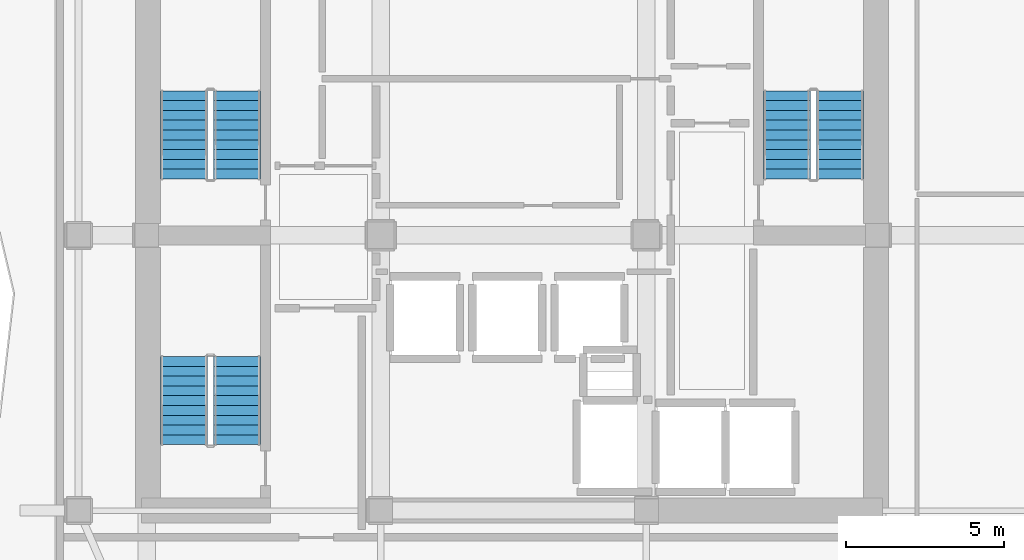
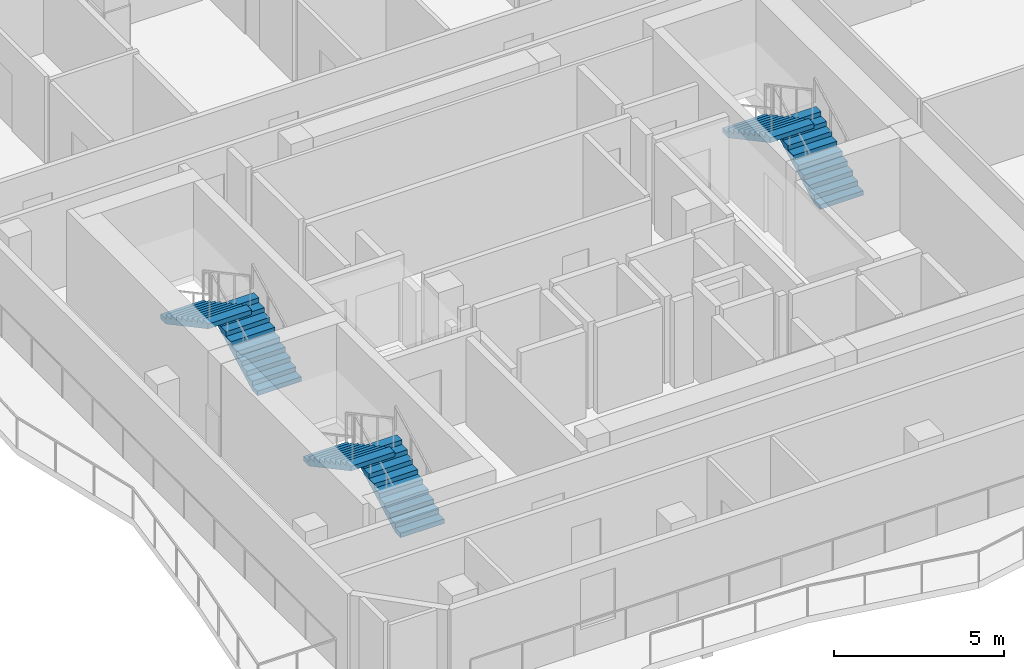
# One storey, part 6 of 9: 6 stair flights, 3 elements without a shape of their own.
"""IFC4 building model written with IfcOpenShell, lengths in metres."""

import ifcopenshell
import ifcopenshell.guid

model = None  # the IFC model being written
_history = None  # IfcOwnerHistory: only IFC2X3 demands one
_inside = {}  # id of a spatial element -> (the spatial element, [elements in it])
_under = {}  # id of a project, library or spatial element -> (it, [spatial elements below it])
_declared = {}  # id of a project -> (the project, [libraries it declares])
_typed = {}  # id of a type object -> (the type object, [elements of that type])
_made_of = {}  # id of a material, layer set ... -> (it, [elements and type objects made of it])


def new_model(schema):
    """Start an empty IFC model of exactly this schema.

    Asked for "IFC4X3", IfcOpenShell would pick the latest addendum, in which some entities
    have other attributes; the version numbers below select the first issue.
    IFC2X3 requires an IfcOwnerHistory on every rooted entity: one is made here for all.
    """
    global model, _history
    if schema == "IFC4X3":
        model = ifcopenshell.file(schema_version=(4, 3, 0, 0))
    else:
        model = ifcopenshell.file(schema=schema)
    _inside.clear()
    _under.clear()
    _declared.clear()
    _typed.clear()
    _made_of.clear()
    _history = None
    if model.schema == "IFC2X3":
        org = make("IfcOrganization", Name="unknown")
        user = make(
            "IfcPersonAndOrganization",
            ThePerson=make("IfcPerson", FamilyName="unknown"),
            TheOrganization=org,
        )
        app = make(
            "IfcApplication",
            ApplicationDeveloper=org,
            Version="unknown",
            ApplicationFullName="unknown",
            ApplicationIdentifier="unknown",
        )
        _history = make(
            "IfcOwnerHistory",
            OwningUser=user,
            OwningApplication=app,
            ChangeAction="ADDED",
            CreationDate=0,
        )
    return model


def make(cls, **values):
    """One entity of the class cls with the attributes given. An attribute that is None is left unset."""
    return model.create_entity(
        cls, **{name: value for name, value in values.items() if value is not None}
    )


def rooted(cls, **values):
    """An entity with a GlobalId (a new one), such as an element, a storey or a relation."""
    return make(cls, GlobalId=ifcopenshell.guid.new(), OwnerHistory=_history, **values)


def si_unit(unit_type, name, prefix=None):
    """IfcSIUnit, for example si_unit("LENGTHUNIT", "METRE", prefix="MILLI")."""
    return make("IfcSIUnit", UnitType=unit_type, Prefix=prefix, Name=name)


def assignment(units):
    """IfcUnitAssignment: the units of a project."""
    return None if units is None else make("IfcUnitAssignment", Units=units)


def point(xyz):
    """IfcCartesianPoint."""
    return None if xyz is None else make("IfcCartesianPoint", Coordinates=xyz)


def direction(xyz):
    """IfcDirection."""
    return None if xyz is None else make("IfcDirection", DirectionRatios=xyz)


def frame(location, z_axis=None, x_axis=None):
    """IfcAxis2Placement3D, a coordinate frame: its origin and axes. An axis left out is left unset."""
    return make(
        "IfcAxis2Placement3D",
        Location=point(location),
        Axis=direction(z_axis),
        RefDirection=direction(x_axis),
    )


def origin():
    """The frame at (0, 0, 0) with its axes left unset."""
    return frame((0.0, 0.0, 0.0))


def place(relative_to, where):
    """IfcLocalPlacement: puts the frame where relative to a parent placement (None: the world)."""
    return make(
        "IfcLocalPlacement", PlacementRelTo=relative_to, RelativePlacement=where
    )


def context(
    kind, dimensions, precision=None, world=None, true_north=None, identifier=None
):
    """IfcGeometricRepresentationContext, for example the 3D "Model" context."""
    return make(
        "IfcGeometricRepresentationContext",
        ContextIdentifier=identifier,
        ContextType=kind,
        CoordinateSpaceDimension=dimensions,
        Precision=precision,
        WorldCoordinateSystem=world,
        TrueNorth=true_north,
    )


def subcontext(parent, identifier, kind, view, scale=None):
    """IfcGeometricRepresentationSubContext, for example "Body" below "Model"."""
    return make(
        "IfcGeometricRepresentationSubContext",
        ContextIdentifier=identifier,
        ContextType=kind,
        ParentContext=parent,
        TargetScale=scale,
        TargetView=view,
    )


def project(units=None, contexts=None):
    """IfcProject with its units and contexts."""
    return rooted(
        "IfcProject",
        Name="project",
        RepresentationContexts=contexts,
        UnitsInContext=assignment(units),
    )


def spatial(cls, under=None, at=None, **own):
    """A site, building, storey or space (cls), placed at a placement, below another one or the project."""
    s = rooted(cls, ObjectPlacement=at, **own)
    if under is not None:
        _under.setdefault(under.id(), (under, []))[1].append(s)
    return s


def polyline(points):
    """IfcPolyline through the points."""
    return make("IfcPolyline", Points=[point(p) for p in points])


def outline(outer, holes=None, kind="AREA"):
    """IfcArbitraryClosedProfileDef: a profile drawn as a closed curve; with holes, ...WithVoids."""
    if holes is None:
        return make("IfcArbitraryClosedProfileDef", ProfileType=kind, OuterCurve=outer)
    return make(
        "IfcArbitraryProfileDefWithVoids",
        ProfileType=kind,
        OuterCurve=outer,
        InnerCurves=holes,
    )


def extrude(swept, where, along, depth):
    """IfcExtrudedAreaSolid: the profile swept, set in the frame where, extruded along a direction by depth."""
    return make(
        "IfcExtrudedAreaSolid",
        SweptArea=swept,
        Position=where,
        ExtrudedDirection=direction(along),
        Depth=depth,
    )


def shape(context_of_items, identifier, shape_type, items):
    """IfcShapeRepresentation: the items that make up one representation, for example the "Body"."""
    return make(
        "IfcShapeRepresentation",
        ContextOfItems=context_of_items,
        RepresentationIdentifier=identifier,
        RepresentationType=shape_type,
        Items=items,
    )


def material(Name=None, Category=None):
    """IfcMaterial."""
    return make("IfcMaterial", Name=Name, Category=Category)


def made_of(thing, what):
    """Note that an element or type object is made of a material, layer set ...; save() writes the relation."""
    if what is not None:
        _made_of.setdefault(what.id(), (what, []))[1].append(thing)
    return thing


def type_object(cls, material=None, **own):
    """A type object (cls), such as IfcWallType, which elements share."""
    return made_of(rooted(cls, **own), material)


def element(
    cls,
    number,
    at=None,
    inside=None,
    cuts=None,
    type_object=None,
    material=None,
    context=None,
    identifier="Body",
    shape_type=None,
    held_by="IfcProductDefinitionShape",
    body=None,
    shapes=None,
    **own,
):
    """One element of the class cls, such as IfcWall. Its Tag is "e" and its number.

    at: its placement. inside: the storey or other place that contains it. cuts: it is an
    opening in that element (IfcRelVoidsElement). A single representation is given by context,
    identifier, shape_type and body (its items); several are given by shapes. held_by: the class
    of the entity that holds the representations. save() writes the other relations.
    """
    e = rooted(cls, Tag="e%d" % number, ObjectPlacement=at, **own)
    if body is not None:
        shapes = [shape(context, identifier, shape_type, body)]
    if shapes is not None:
        e.Representation = make(held_by, Representations=shapes)
    if inside is not None:
        _inside.setdefault(inside.id(), (inside, []))[1].append(e)
    if cuts is not None:
        rooted(
            "IfcRelVoidsElement", RelatingBuildingElement=cuts, RelatedOpeningElement=e
        )
    if type_object is not None:
        _typed.setdefault(type_object.id(), (type_object, []))[1].append(e)
    return made_of(e, material)


def aggregate(whole, parts):
    """IfcRelAggregates: a whole, such as a stair, and the parts it consists of."""
    return rooted("IfcRelAggregates", RelatingObject=whole, RelatedObjects=parts)


def save(model, path):
    """Write the relations noted so far, then the file.

    IfcRelAggregates (storeys below a building ...), IfcRelContainedInSpatialStructure (elements
    in a storey), IfcRelDefinesByType, IfcRelAssociatesMaterial and IfcRelDeclares: one each for
    every whole, place, type object, material and project.
    """
    for whole, parts in _under.values():
        aggregate(whole, parts)
    for where, things in _inside.values():
        rooted(
            "IfcRelContainedInSpatialStructure",
            RelatedElements=things,
            RelatingStructure=where,
        )
    for kind, things in _typed.values():
        rooted("IfcRelDefinesByType", RelatedObjects=things, RelatingType=kind)
    for what, things in _made_of.values():
        rooted("IfcRelAssociatesMaterial", RelatedObjects=things, RelatingMaterial=what)
    for by, libraries in _declared.values():
        rooted("IfcRelDeclares", RelatingContext=by, RelatedDefinitions=libraries)
    model.write(path)


model = new_model("IFC4")

# Units and contexts
model_context = context("Model", 3, precision=1e-05, world=origin(), true_north=direction((0.0, 1.0)))
body_context = subcontext(model_context, "Body", "Model", "MODEL_VIEW")
ifc_project = project(units=[si_unit("LENGTHUNIT", "METRE"), si_unit("AREAUNIT", "SQUARE_METRE"), si_unit("VOLUMEUNIT", "CUBIC_METRE"), si_unit("PLANEANGLEUNIT", "RADIAN"), si_unit("MASSUNIT", "GRAM", prefix="KILO")], contexts=[model_context])

# Site, building, storey
site_placement = place(None, origin())
site = spatial("IfcSite", under=ifc_project, at=site_placement, CompositionType="ELEMENT")
building_placement = place(site_placement, origin())
building = spatial("IfcBuilding", under=site, at=building_placement, Name="Solanera Arch Residences", CompositionType="ELEMENT")
storey_placement = place(building_placement, frame((0.0, 0.0, 244.56005859375)))
storey = spatial("IfcBuildingStorey", under=building, at=storey_placement, Name="L71", CompositionType="ELEMENT", Elevation=244.56005859375)

# Stair, stair flights
ifc_material_1 = material(Name="Concrete C40/50 (f'c = 45 MPa)", Category="concrete")
stair_type = type_object("IfcStairType", Name="Tower Dogleg Exit Stair 1480", PredefinedType="HALF_TURN_STAIR", material=ifc_material_1)
stair_1_placement = place(storey_placement, origin())
stair_1 = element("IfcStair", 1, at=stair_1_placement, inside=storey, type_object=stair_type, Name="L71 Tower Core Exit Stair 1", PredefinedType="HALF_TURN_STAIR")
ifc_material_2 = material(Name="Concrete C40/50 (f'c = 45 MPa)", Category="concrete")
stair_flight_type = type_object("IfcStairFlightType", Name="Tower Precast Stair Flight 1480", PredefinedType="STRAIGHT", material=ifc_material_2)
stair_flight_1_placement = place(storey_placement, frame((16.260009765625, 32.47998046875, 0.0), z_axis=(0.0, 0.0, 1.0), x_axis=(0.0, 1.0, 0.0)))
stair_flight_1 = element("IfcStairFlight", 2, at=stair_flight_1_placement, type_object=stair_flight_type, Name="ST-T1 flight 1", NumberOfRisers=10, NumberOfTreads=9, PredefinedType="STRAIGHT", RiserHeight=0.166, TreadLength=0.31, context=body_context, shape_type="SweptSolid", body=[
    extrude(outline(polyline([(0.0, 0.0), (0.0, 0.166015625), (0.31005859375, 0.166015625), (0.31005859375, 0.33203125), (0.6201171875, 0.33203125), (0.6201171875, 0.498046875), (0.929931640625, 0.498046875), (0.929931640625, 0.6640625), (1.239990234375, 0.6640625), (1.239990234375, 0.830078125), (1.550048828125, 0.830078125), (1.550048828125, 0.99609375), (1.860107421875, 0.99609375), (1.860107421875, 1.162109375), (2.169921875, 1.162109375), (2.169921875, 1.327880859375), (2.47998046875, 1.327880859375), (2.47998046875, 1.493896484375), (2.7900390625, 1.493896484375), (2.7900390625, 1.659912109375), (2.7900390625, 1.323974609375), (0.317626953125, 0.0), (0.0, 0.0)])), frame((0.0, 0.739990234375, 0.0), z_axis=(0.0, -1.0, 0.0), x_axis=(1.0, 0.0, 0.0)), (0.0, 0.0, 1.0), 1.47998046875),
])
stair_flight_2_placement = place(storey_placement, frame((14.580078125, 35.27001953125, 1.659912109375), z_axis=(0.0, 0.0, 1.0), x_axis=(0.0, -1.0, 0.0)))
stair_flight_2 = element("IfcStairFlight", 3, at=stair_flight_2_placement, type_object=stair_flight_type, Name="ST-T1 flight 2", NumberOfRisers=10, NumberOfTreads=9, PredefinedType="STRAIGHT", RiserHeight=0.166, TreadLength=0.31, context=body_context, shape_type="SweptSolid", body=[
    extrude(outline(polyline([(0.0, 0.0), (0.0, 0.166015625), (0.31005859375, 0.166015625), (0.31005859375, 0.33203125), (0.6201171875, 0.33203125), (0.6201171875, 0.498046875), (0.929931640625, 0.498046875), (0.929931640625, 0.6640625), (1.239990234375, 0.6640625), (1.239990234375, 0.830078125), (1.550048828125, 0.830078125), (1.550048828125, 0.99609375), (1.860107421875, 0.99609375), (1.860107421875, 1.162109375), (2.169921875, 1.162109375), (2.169921875, 1.327880859375), (2.47998046875, 1.327880859375), (2.47998046875, 1.493896484375), (2.7900390625, 1.493896484375), (2.7900390625, 1.659912109375), (2.7900390625, 1.323974609375), (0.317626953125, 0.0), (0.0, 0.0)])), frame((0.0, 0.739990234375, 0.0), z_axis=(0.0, -1.0, 0.0), x_axis=(1.0, 0.0, 0.0)), (0.0, 0.0, 1.0), 1.47998046875),
])
aggregate(stair_1, [stair_flight_1, stair_flight_2])

stair_2_placement = place(storey_placement, origin())
stair_2 = element("IfcStair", 4, at=stair_2_placement, inside=storey, type_object=stair_type, Name="L71 Tower Core Exit Stair 2", PredefinedType="HALF_TURN_STAIR")
stair_flight_3_placement = place(storey_placement, frame((35.320068359375, 32.47998046875, 0.0), z_axis=(0.0, 0.0, 1.0), x_axis=(0.0, 1.0, 0.0)))
stair_flight_3 = element("IfcStairFlight", 5, at=stair_flight_3_placement, type_object=stair_flight_type, Name="ST-T2 flight 1", NumberOfRisers=10, NumberOfTreads=9, PredefinedType="STRAIGHT", RiserHeight=0.166, TreadLength=0.31, context=body_context, shape_type="SweptSolid", body=[
    extrude(outline(polyline([(0.0, 0.0), (0.0, 0.166015625), (0.31005859375, 0.166015625), (0.31005859375, 0.33203125), (0.6201171875, 0.33203125), (0.6201171875, 0.498046875), (0.929931640625, 0.498046875), (0.929931640625, 0.6640625), (1.239990234375, 0.6640625), (1.239990234375, 0.830078125), (1.550048828125, 0.830078125), (1.550048828125, 0.99609375), (1.860107421875, 0.99609375), (1.860107421875, 1.162109375), (2.169921875, 1.162109375), (2.169921875, 1.327880859375), (2.47998046875, 1.327880859375), (2.47998046875, 1.493896484375), (2.7900390625, 1.493896484375), (2.7900390625, 1.659912109375), (2.7900390625, 1.323974609375), (0.317626953125, 0.0), (0.0, 0.0)])), frame((0.0, 0.739990234375, 0.0), z_axis=(0.0, -1.0, 0.0), x_axis=(1.0, 0.0, 0.0)), (0.0, 0.0, 1.0), 1.47998046875),
])
stair_flight_4_placement = place(storey_placement, frame((33.639892578125, 35.27001953125, 1.659912109375), z_axis=(0.0, 0.0, 1.0), x_axis=(0.0, -1.0, 0.0)))
stair_flight_4 = element("IfcStairFlight", 6, at=stair_flight_4_placement, type_object=stair_flight_type, Name="ST-T2 flight 2", NumberOfRisers=10, NumberOfTreads=9, PredefinedType="STRAIGHT", RiserHeight=0.166, TreadLength=0.31, context=body_context, shape_type="SweptSolid", body=[
    extrude(outline(polyline([(0.0, 0.0), (0.0, 0.166015625), (0.31005859375, 0.166015625), (0.31005859375, 0.33203125), (0.6201171875, 0.33203125), (0.6201171875, 0.498046875), (0.929931640625, 0.498046875), (0.929931640625, 0.6640625), (1.239990234375, 0.6640625), (1.239990234375, 0.830078125), (1.550048828125, 0.830078125), (1.550048828125, 0.99609375), (1.860107421875, 0.99609375), (1.860107421875, 1.162109375), (2.169921875, 1.162109375), (2.169921875, 1.327880859375), (2.47998046875, 1.327880859375), (2.47998046875, 1.493896484375), (2.7900390625, 1.493896484375), (2.7900390625, 1.659912109375), (2.7900390625, 1.323974609375), (0.317626953125, 0.0), (0.0, 0.0)])), frame((0.0, 0.739990234375, 0.0), z_axis=(0.0, -1.0, 0.0), x_axis=(1.0, 0.0, 0.0)), (0.0, 0.0, 1.0), 1.47998046875),
])
aggregate(stair_2, [stair_flight_3, stair_flight_4])

stair_3_placement = place(storey_placement, origin())
stair_3 = element("IfcStair", 7, at=stair_3_placement, inside=storey, type_object=stair_type, Name="L71 Tower Core Exit Stair 3", PredefinedType="HALF_TURN_STAIR")
stair_flight_5_placement = place(storey_placement, frame((16.260009765625, 24.080078125, 0.0), z_axis=(0.0, 0.0, 1.0), x_axis=(0.0, 1.0, 0.0)))
stair_flight_5 = element("IfcStairFlight", 8, at=stair_flight_5_placement, type_object=stair_flight_type, Name="ST-T3 flight 1", NumberOfRisers=10, NumberOfTreads=9, PredefinedType="STRAIGHT", RiserHeight=0.166, TreadLength=0.31, context=body_context, shape_type="SweptSolid", body=[
    extrude(outline(polyline([(0.0, 0.0), (0.0, 0.166015625), (0.31005859375, 0.166015625), (0.31005859375, 0.33203125), (0.6201171875, 0.33203125), (0.6201171875, 0.498046875), (0.929931640625, 0.498046875), (0.929931640625, 0.6640625), (1.239990234375, 0.6640625), (1.239990234375, 0.830078125), (1.550048828125, 0.830078125), (1.550048828125, 0.99609375), (1.860107421875, 0.99609375), (1.860107421875, 1.162109375), (2.169921875, 1.162109375), (2.169921875, 1.327880859375), (2.47998046875, 1.327880859375), (2.47998046875, 1.493896484375), (2.7900390625, 1.493896484375), (2.7900390625, 1.659912109375), (2.7900390625, 1.323974609375), (0.317626953125, 0.0), (0.0, 0.0)])), frame((0.0, 0.739990234375, 0.0), z_axis=(0.0, -1.0, 0.0), x_axis=(1.0, 0.0, 0.0)), (0.0, 0.0, 1.0), 1.47998046875),
])
stair_flight_6_placement = place(storey_placement, frame((14.580078125, 26.8701171875, 1.659912109375), z_axis=(0.0, 0.0, 1.0), x_axis=(0.0, -1.0, 0.0)))
stair_flight_6 = element("IfcStairFlight", 9, at=stair_flight_6_placement, type_object=stair_flight_type, Name="ST-T3 flight 2", NumberOfRisers=10, NumberOfTreads=9, PredefinedType="STRAIGHT", RiserHeight=0.166, TreadLength=0.31, context=body_context, shape_type="SweptSolid", body=[
    extrude(outline(polyline([(0.0, 0.0), (0.0, 0.166015625), (0.31005859375, 0.166015625), (0.31005859375, 0.33203125), (0.6201171875, 0.33203125), (0.6201171875, 0.498046875), (0.929931640625, 0.498046875), (0.929931640625, 0.6640625), (1.239990234375, 0.6640625), (1.239990234375, 0.830078125), (1.550048828125, 0.830078125), (1.550048828125, 0.99609375), (1.860107421875, 0.99609375), (1.860107421875, 1.162109375), (2.169921875, 1.162109375), (2.169921875, 1.327880859375), (2.47998046875, 1.327880859375), (2.47998046875, 1.493896484375), (2.7900390625, 1.493896484375), (2.7900390625, 1.659912109375), (2.7900390625, 1.323974609375), (0.317626953125, 0.0), (0.0, 0.0)])), frame((0.0, 0.739990234375, 0.0), z_axis=(0.0, -1.0, 0.0), x_axis=(1.0, 0.0, 0.0)), (0.0, 0.0, 1.0), 1.47998046875),
])
aggregate(stair_3, [stair_flight_5, stair_flight_6])

save(model, "model.ifc")
